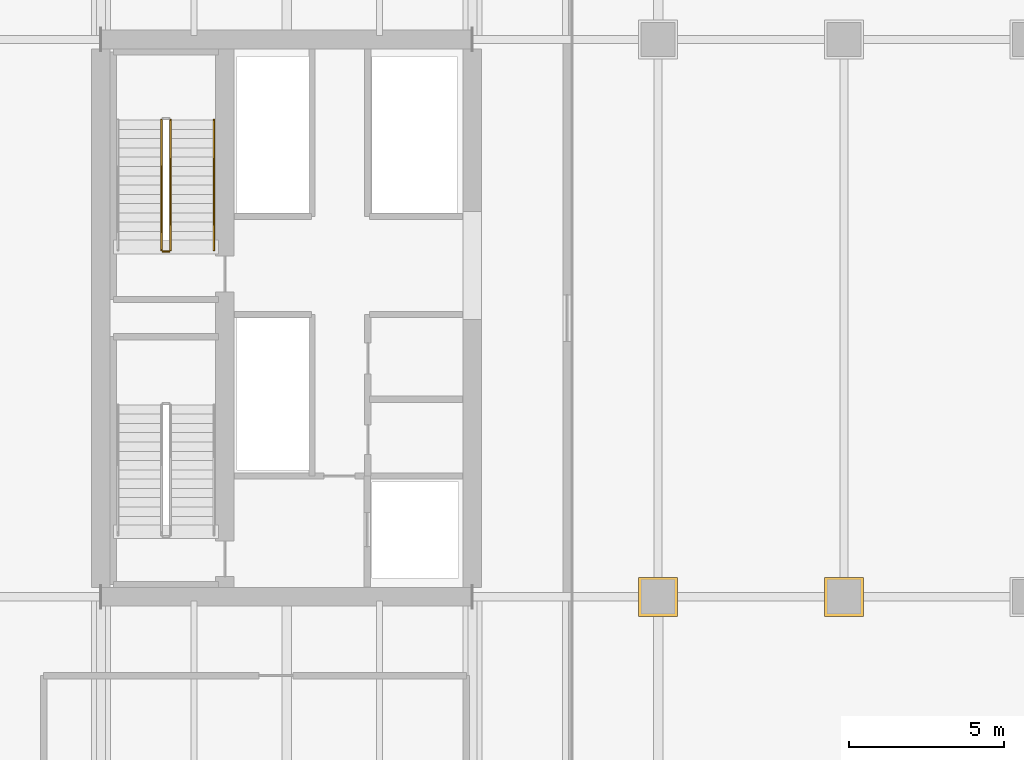
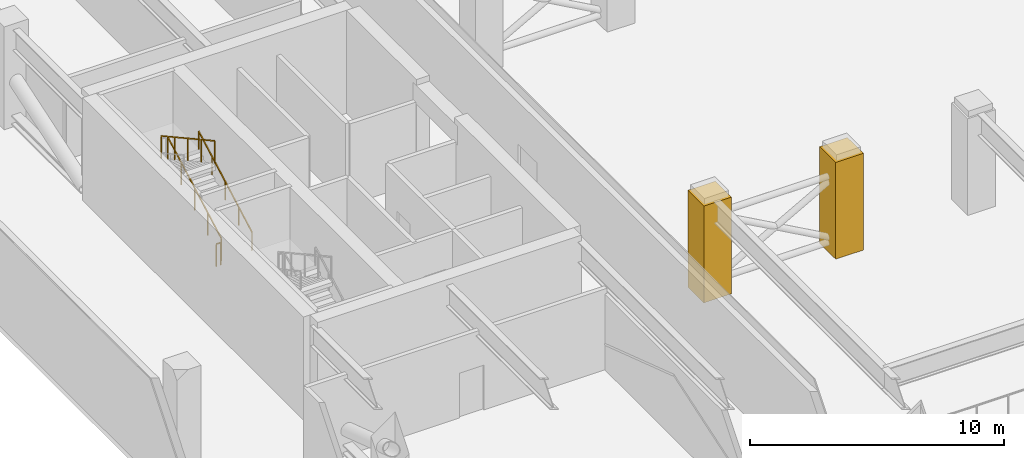
# One storey, part 16 of 22: 4 railings, 2 coverings.
"""IFC4 building model written with IfcOpenShell, lengths in metres."""

from ifc_helpers import new_model, si_unit, direction, frame, origin, origin_2d, place, context, subcontext, project, spatial, rectangle, extrude, material, layer, layer_set, type_object, element, save


model = new_model("IFC4")

# Units and contexts
model_context = context("Model", 3, precision=1e-05, world=origin(), true_north=direction((0.0, 1.0)))
body_context = subcontext(model_context, "Body", "Model", "MODEL_VIEW")
ifc_project = project(units=[si_unit("LENGTHUNIT", "METRE"), si_unit("AREAUNIT", "SQUARE_METRE"), si_unit("VOLUMEUNIT", "CUBIC_METRE"), si_unit("PLANEANGLEUNIT", "RADIAN"), si_unit("MASSUNIT", "GRAM", prefix="KILO")], contexts=[model_context])

# Site, building, storey
site_placement = place(None, origin())
site = spatial("IfcSite", under=ifc_project, at=site_placement, CompositionType="ELEMENT")
building_placement = place(site_placement, origin())
building = spatial("IfcBuilding", under=site, at=building_placement, Name="Tanjung Sevakor Pilgrim Tower", CompositionType="ELEMENT")
storey_placement = place(building_placement, frame((0.0, 0.0, 73.260009765625)))
storey = spatial("IfcBuildingStorey", under=building, at=storey_placement, Name="L20", CompositionType="ELEMENT", Elevation=73.260009765625)

# Coverings
ifc_material_1 = material(Name="Reconstructed Limestone Cladding", Category="masonry")
ifc_layer = layer(ifc_material_1, 0.044921875)
ifc_layer_set = layer_set([ifc_layer], Name="COV-CLAD-LIMESTONE")
covering_type = type_object("IfcCoveringType", Name="COV-CLAD-LIMESTONE", PredefinedType="CLADDING", material=ifc_layer_set)
for number, where, z_axis, x_axis, name in (
    (1, (42.0, 24.60009765625, 0.010009765625), (0.0, 0.0, 1.0), (1.0, 0.0, 0.0), "L20 Portal Colonnade Limestone Casing 03"),
    (2, (48.0, 24.60009765625, 0.010009765625), (0.0, 0.0, 1.0), (1.0, 0.0, 0.0), "L20 Portal Colonnade Limestone Casing 05"),
):
    element("IfcCovering", number, at=place(storey_placement, frame(where, z_axis=z_axis, x_axis=x_axis)), inside=storey, type_object=covering_type, Name=name, PredefinedType="CLADDING", context=body_context, shape_type="SweptSolid", body=[
        extrude(rectangle(XDim=1.260009765625, YDim=1.260009765625, at=origin_2d()), origin(), (0.0, 0.0, 1.0), 4.64990234375),
    ])

# Railings
ifc_material_2 = material(Name="Steel S355J2", Category="steel")
railing_type_1 = type_object("IfcRailingType", Name="RL-STAIR-GUARD", PredefinedType="GUARDRAIL", material=ifc_material_2)
railing_1_placement = place(storey_placement, frame((26.25, 35.800048828125, 0.1650390625)))
element("IfcRailing", 3, at=railing_1_placement, inside=storey, type_object=railing_type_1, Name="L20 TS-W2 stair guard 1", PredefinedType="GUARDRAIL", context=body_context, shape_type="SweptSolid", body=[
    extrude(rectangle(XDim=0.0479, YDim=0.0479), frame((0.0, 0.0, 1.076171875), z_axis=(0.0, 0.876208380975, 0.481932436249), x_axis=(-1.0, 0.0, 0.0)), (0.0, 0.0, 1.0), 4.793212890625),
    extrude(rectangle(XDim=0.042, YDim=0.042), origin(), (0.0, 0.0, 1.0), 1.052001953125),
    extrude(rectangle(XDim=0.042, YDim=0.042), frame((0.0, 1.050048828125, 0.57763671875)), (0.0, 0.0, 1.0), 1.052001953125),
    extrude(rectangle(XDim=0.042, YDim=0.042), frame((0.0, 2.10009765625, 1.155029296875)), (0.0, 0.0, 1.0), 1.052001953125),
    extrude(rectangle(XDim=0.042, YDim=0.042), frame((0.0, 3.14990234375, 1.732421875)), (0.0, 0.0, 1.0), 1.052001953125),
    extrude(rectangle(XDim=0.042, YDim=0.042), frame((0.0, 4.199951171875, 2.31005859375)), (0.0, 0.0, 1.0), 1.052001953125),
])
railing_2_placement = place(storey_placement, frame((25.949951171875, 40.0, 2.639892578125)))
element("IfcRailing", 4, at=railing_2_placement, inside=storey, type_object=railing_type_1, Name="L20 TS-W2 stair guard 3", PredefinedType="GUARDRAIL", context=body_context, shape_type="SweptSolid", body=[
    extrude(rectangle(XDim=0.0479, YDim=0.0479), frame((0.0, 0.0, 1.076171875), z_axis=(0.0, -0.876208380975, 0.481932436249), x_axis=(1.0, 0.0, 0.0)), (0.0, 0.0, 1.0), 4.793212890625),
    extrude(rectangle(XDim=0.042, YDim=0.042), origin(), (0.0, 0.0, 1.0), 1.052001953125),
    extrude(rectangle(XDim=0.042, YDim=0.042), frame((0.0, -1.050048828125, 0.57763671875)), (0.0, 0.0, 1.0), 1.052001953125),
    extrude(rectangle(XDim=0.042, YDim=0.042), frame((0.0, -2.10009765625, 1.155029296875)), (0.0, 0.0, 1.0), 1.052001953125),
    extrude(rectangle(XDim=0.042, YDim=0.042), frame((0.0, -3.14990234375, 1.732421875)), (0.0, 0.0, 1.0), 1.052001953125),
    extrude(rectangle(XDim=0.042, YDim=0.042), frame((0.0, -4.199951171875, 2.31005859375)), (0.0, 0.0, 1.0), 1.052001953125),
])
railing_3_placement = place(storey_placement, frame((26.199951171875, 35.75, 0.0)))
element("IfcRailing", 5, at=railing_3_placement, inside=storey, type_object=railing_type_1, Name="L20 TS-W2 stair guard 4", PredefinedType="GUARDRAIL", context=body_context, shape_type="SweptSolid", body=[
    extrude(rectangle(XDim=0.0479, YDim=0.0479), frame((0.0, 0.0, 1.076171875), z_axis=(-1.0, 0.0, 0.0), x_axis=(0.0, -1.0, 0.0)), (0.0, 0.0, 1.0), 0.199951171875),
    extrude(rectangle(XDim=0.042, YDim=0.042), origin(), (0.0, 0.0, 1.0), 1.052001953125),
    extrude(rectangle(XDim=0.042, YDim=0.042), frame((-0.199951171875, 0.0, 0.0)), (0.0, 0.0, 1.0), 1.052001953125),
])
ifc_material_3 = material(Name="Steel S355J2", Category="steel")
railing_type_2 = type_object("IfcRailingType", Name="RL-STAIR-HAND", PredefinedType="HANDRAIL", material=ifc_material_3)
railing_4_placement = place(storey_placement, frame((27.64990234375, 35.800048828125, 0.1650390625)))
element("IfcRailing", 6, at=railing_4_placement, inside=storey, type_object=railing_type_2, Name="L20 TS-W2 stair handrail 1", PredefinedType="HANDRAIL", context=body_context, shape_type="SweptSolid", body=[
    extrude(rectangle(XDim=0.0479, YDim=0.0479), frame((0.0, 0.0, 0.8759765625), z_axis=(0.0, 0.876208380975, 0.481932436249), x_axis=(-1.0, 0.0, 0.0)), (0.0, 0.0, 1.0), 4.793212890625),
    extrude(rectangle(XDim=0.042, YDim=0.042), origin(), (0.0, 0.0, 1.0), 0.851806640625),
    extrude(rectangle(XDim=0.042, YDim=0.042), frame((0.0, 1.050048828125, 0.57763671875)), (0.0, 0.0, 1.0), 0.851806640625),
    extrude(rectangle(XDim=0.042, YDim=0.042), frame((0.0, 2.10009765625, 1.155029296875)), (0.0, 0.0, 1.0), 0.851806640625),
    extrude(rectangle(XDim=0.042, YDim=0.042), frame((0.0, 3.14990234375, 1.732421875)), (0.0, 0.0, 1.0), 0.851806640625),
    extrude(rectangle(XDim=0.042, YDim=0.042), frame((0.0, 4.199951171875, 2.31005859375)), (0.0, 0.0, 1.0), 0.851806640625),
])

save(model, "model.ifc")
